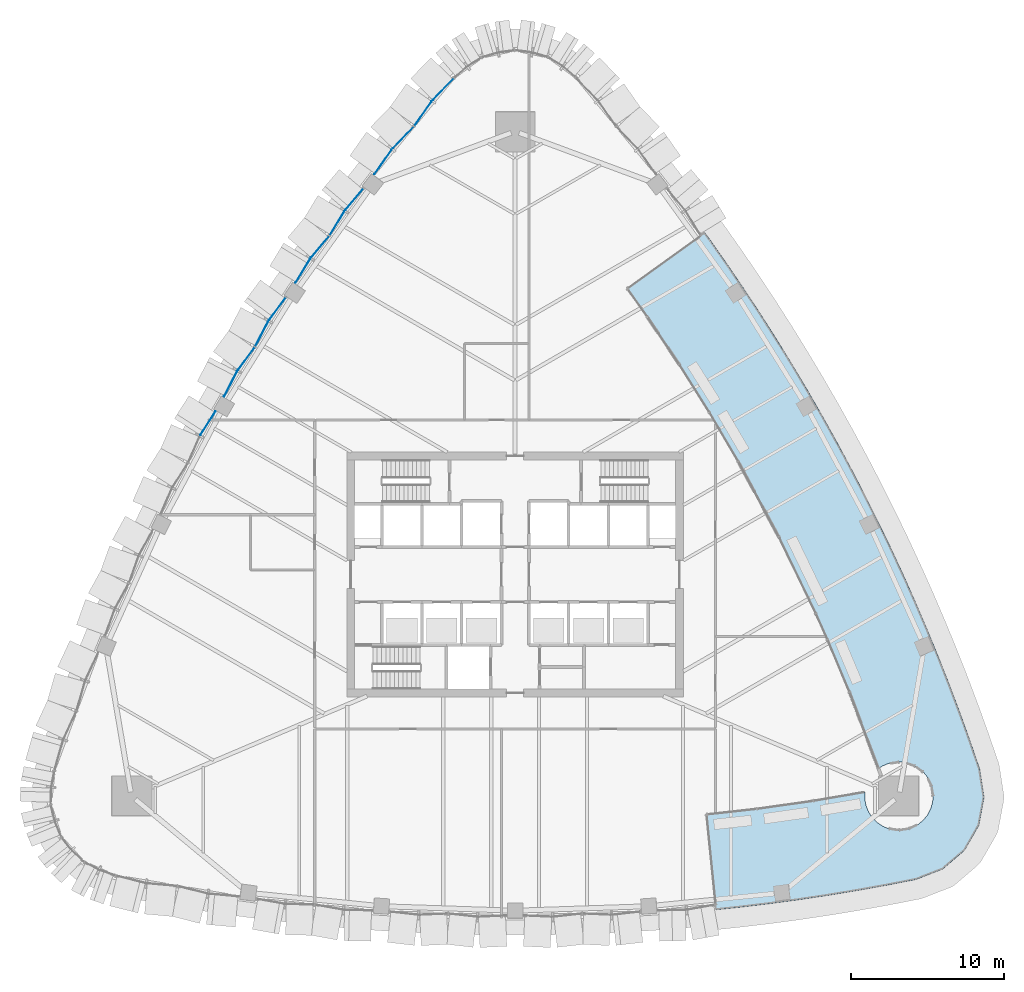
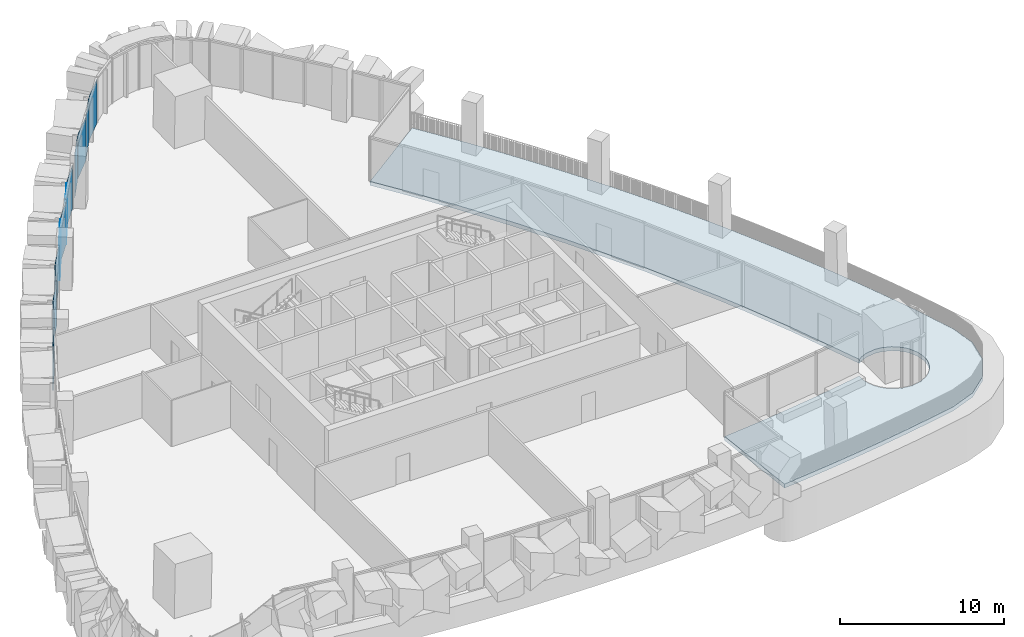
# One storey, part 11 of 20: 13 plates, 1 slab, 4 elements without a shape of their own.
"""IFC4 building model written with IfcOpenShell, lengths in metres."""

from ifc_helpers import new_model, si_unit, direction, frame, origin, place, context, subcontext, project, spatial, polyline, outline, extrude, material, layer, layer_set, type_object, element, aggregate, save


model = new_model("IFC4")

# Units and contexts
model_context = context("Model", 3, precision=1e-05, world=origin(), true_north=direction((0.0, 1.0)))
body_context = subcontext(model_context, "Body", "Model", "MODEL_VIEW")
ifc_project = project(units=[si_unit("LENGTHUNIT", "METRE"), si_unit("AREAUNIT", "SQUARE_METRE"), si_unit("VOLUMEUNIT", "CUBIC_METRE"), si_unit("PLANEANGLEUNIT", "RADIAN"), si_unit("MASSUNIT", "GRAM", prefix="KILO")], contexts=[model_context])

# Site, building, storey
site_placement = place(None, origin())
site = spatial("IfcSite", under=ifc_project, at=site_placement, CompositionType="ELEMENT")
building_placement = place(site_placement, origin())
building = spatial("IfcBuilding", under=site, at=building_placement, Name="Sierra Prisma Convention Tower", CompositionType="ELEMENT")
storey_placement = place(building_placement, frame((0.0, 0.0, 125.800048828125)))
storey = spatial("IfcBuildingStorey", under=building, at=storey_placement, Name="L26", CompositionType="ELEMENT", Elevation=125.800048828125)

# Curtain wall, plates
ifc_material_1 = material(Name="Aluminium and glass curtain wall", Category="aluminium")
ifc_layer_1 = layer(ifc_material_1, 0.179931640625)
ifc_layer_set_1 = layer_set([ifc_layer_1], Name="CW-2 Faceted crystal curtain wall")
curtain_wall_type = type_object("IfcCurtainWallType", Name="CW-2 Faceted crystal curtain wall", PredefinedType="NOTDEFINED", material=ifc_layer_set_1)
curtain_wall_1_placement = place(storey_placement, origin())
curtain_wall_1 = element("IfcCurtainWall", 1, at=curtain_wall_1_placement, inside=storey, type_object=curtain_wall_type, Name="CW-2 NW1 L26", PredefinedType="NOTDEFINED")
ifc_material_2 = material(Name="Tinted glass bronze-grey IGU", Category="glass")
ifc_layer_2 = layer(ifc_material_2, 0.028076171875)
ifc_layer_set_2 = layer_set([ifc_layer_2], Name="CW-2 crystal pane")
plate_type = type_object("IfcPlateType", Name="CW-2 crystal pane", PredefinedType="CURTAIN_PANEL", material=ifc_layer_set_2)
plate_1_placement = place(storey_placement, frame((-4.030517578125, 32.44970703125, 0.0), z_axis=(-0.718425213053, 0.695604207326, 0.0), x_axis=(-0.695604207326, -0.718425213053, 0.0)))
plate_1 = element("IfcPlate", 2, at=plate_1_placement, type_object=plate_type, Name="CW-2 pane NW1.1.1", PredefinedType="CURTAIN_PANEL", context=body_context, shape_type="SweptSolid", body=[
    extrude(outline(polyline([(0.0, 0.0), (1.9577460744295014, 0.0), (1.9577460744295014, 3.280029296875), (0.0, 3.280029296875), (0.0, 0.0)])), origin(), (0.0, 0.0, -1.0), 0.028076171875),
])
plate_2_placement = place(storey_placement, frame((-6.60009765625, 29.34130859375, 0.0), z_axis=(-0.818375585794, 0.574683739613, 0.0), x_axis=(0.574683739613, 0.818375585794, 0.0)))
plate_2 = element("IfcPlate", 3, at=plate_2_placement, type_object=plate_type, Name="CW-2 pane NW1.1.2", PredefinedType="CURTAIN_PANEL", context=body_context, shape_type="SweptSolid", body=[
    extrude(outline(polyline([(0.0, 0.0), (1.9575984536425586, 0.0), (1.9575984536425586, -3.280029296875), (0.0, -3.280029296875), (0.0, 0.0)])), origin(), (0.0, 0.0, -1.0), 0.028076171875),
])
plate_3_placement = place(storey_placement, frame((-6.64453125, 29.287353515625, 0.0), z_axis=(-0.718425213053, 0.695604207326, 0.0), x_axis=(-0.695604207326, -0.718425213053, 0.0)))
plate_3 = element("IfcPlate", 4, at=plate_3_placement, type_object=plate_type, Name="CW-2 pane NW1.2.1", PredefinedType="CURTAIN_PANEL", context=body_context, shape_type="SweptSolid", body=[
    extrude(outline(polyline([(0.0, 0.0), (1.9577460744295014, 0.0), (1.9577460744295014, 3.280029296875), (0.0, 3.280029296875), (0.0, 0.0)])), origin(), (0.0, 0.0, -1.0), 0.028076171875),
])
plate_4_placement = place(storey_placement, frame((-9.2138671875, 26.178955078125, 0.0), z_axis=(-0.818375585794, 0.574683739613, 0.0), x_axis=(0.574683739613, 0.818375585794, 0.0)))
plate_4 = element("IfcPlate", 5, at=plate_4_placement, type_object=plate_type, Name="CW-2 pane NW1.2.2", PredefinedType="CURTAIN_PANEL", context=body_context, shape_type="SweptSolid", body=[
    extrude(outline(polyline([(0.0, 0.0), (1.9575984536425586, 0.0), (1.9575984536425586, -3.280029296875), (0.0, -3.280029296875), (0.0, 0.0)])), origin(), (0.0, 0.0, -1.0), 0.028076171875),
])
aggregate(curtain_wall_1, [plate_1, plate_2, plate_3, plate_4])

curtain_wall_2_placement = place(storey_placement, origin())
curtain_wall_2 = element("IfcCurtainWall", 6, at=curtain_wall_2_placement, inside=storey, type_object=curtain_wall_type, Name="CW-2 NW2 L26", PredefinedType="NOTDEFINED")
plate_5_placement = place(storey_placement, frame((-9.9365234375, 25.240478515625, 0.0), z_axis=(-0.763386285369, 0.645942241466, 0.0), x_axis=(-0.645942241466, -0.763386285369, 0.0)))
plate_5 = element("IfcPlate", 7, at=plate_5_placement, type_object=plate_type, Name="CW-2 pane NW2.1.1", PredefinedType="CURTAIN_PANEL", context=body_context, shape_type="SweptSolid", body=[
    extrude(outline(polyline([(0.0, 0.0), (1.8210134834657628, 0.0), (1.8210134834657628, 3.280029296875), (0.0, 3.280029296875), (0.0, 0.0)])), origin(), (0.0, 0.0, -1.0), 0.028076171875),
])
plate_6_placement = place(storey_placement, frame((-12.13330078125, 22.1884765625, 0.0), z_axis=(-0.85495102812, 0.518708723192, 0.0), x_axis=(0.518708723192, 0.85495102812, 0.0)))
plate_6 = element("IfcPlate", 8, at=plate_6_placement, type_object=plate_type, Name="CW-2 pane NW2.1.2", PredefinedType="CURTAIN_PANEL", context=body_context, shape_type="SweptSolid", body=[
    extrude(outline(polyline([(0.0, 0.0), (1.8210221573132608, 0.0), (1.8210221573132608, -3.280029296875), (0.0, -3.280029296875), (0.0, 0.0)])), origin(), (0.0, 0.0, -1.0), 0.028076171875),
])
plate_7_placement = place(storey_placement, frame((-12.174072265625, 22.131591796875, 0.0), z_axis=(-0.763264221217, 0.646086471464, 0.0), x_axis=(-0.646086471464, -0.763264221217, 0.0)))
plate_7 = element("IfcPlate", 9, at=plate_7_placement, type_object=plate_type, Name="CW-2 pane NW2.2.1", PredefinedType="CURTAIN_PANEL", context=body_context, shape_type="SweptSolid", body=[
    extrude(outline(polyline([(0.0, 0.0), (1.8209848431098363, 0.0), (1.8209848431098363, 3.280029296875), (0.0, 3.280029296875), (0.0, 0.0)])), origin(), (0.0, 0.0, -1.0), 0.028076171875),
])
plate_8_placement = place(storey_placement, frame((-14.370849609375, 19.07958984375, 0.0), z_axis=(-0.85495102812, 0.518708723192, 0.0), x_axis=(0.518708723192, 0.85495102812, 0.0)))
plate_8 = element("IfcPlate", 10, at=plate_8_placement, type_object=plate_type, Name="CW-2 pane NW2.2.2", PredefinedType="CURTAIN_PANEL", context=body_context, shape_type="SweptSolid", body=[
    extrude(outline(polyline([(0.0, 0.0), (1.8210221573132608, 0.0), (1.8210221573132608, -3.280029296875), (0.0, -3.280029296875), (0.0, 0.0)])), origin(), (0.0, 0.0, -1.0), 0.028076171875),
])
aggregate(curtain_wall_2, [plate_5, plate_6, plate_7, plate_8])

curtain_wall_3_placement = place(storey_placement, origin())
curtain_wall_3 = element("IfcCurtainWall", 11, at=curtain_wall_3_placement, inside=storey, type_object=curtain_wall_type, Name="CW-2 NW3 L26", PredefinedType="NOTDEFINED")
plate_9_placement = place(storey_placement, frame((-15.011962890625, 18.122314453125, 0.0), z_axis=(-0.804763852546, 0.593595099066, 0.0), x_axis=(-0.593595099066, -0.804763852546, 0.0)))
plate_9 = element("IfcPlate", 12, at=plate_9_placement, type_object=plate_type, Name="CW-2 pane NW3.1.1", PredefinedType="CURTAIN_PANEL", context=body_context, shape_type="SweptSolid", body=[
    extrude(outline(polyline([(0.0, 0.0), (1.829013347789766, 0.0), (1.829013347789766, 3.280029296875), (0.0, 3.280029296875), (0.0, 0.0)])), origin(), (0.0, 0.0, -1.0), 0.028076171875),
])
plate_10_placement = place(storey_placement, frame((-17.008544921875, 14.916748046875, 0.0), z_axis=(-0.887681799483, 0.460457406137, 0.0), x_axis=(0.460457406137, 0.887681799483, 0.0)))
plate_10 = element("IfcPlate", 13, at=plate_10_placement, type_object=plate_type, Name="CW-2 pane NW3.1.2", PredefinedType="CURTAIN_PANEL", context=body_context, shape_type="SweptSolid", body=[
    extrude(outline(polyline([(0.0, 0.0), (1.8292357664880043, 0.0), (1.8292357664880043, -3.280029296875001), (0.0, -3.280029296875001), (0.0, 0.0)])), origin(), (0.0, 0.0, -1.0), 0.028076171875),
])
plate_11_placement = place(storey_placement, frame((-17.04541015625, 14.857421875, 0.0), z_axis=(-0.80474712353, 0.593617778684, 0.0), x_axis=(-0.593617778684, -0.80474712353, 0.0)))
plate_11 = element("IfcPlate", 14, at=plate_11_placement, type_object=plate_type, Name="CW-2 pane NW3.2.1", PredefinedType="CURTAIN_PANEL", context=body_context, shape_type="SweptSolid", body=[
    extrude(outline(polyline([(0.0, 0.0), (1.8293547447446465, 0.0), (1.8293547447446465, 3.280029296875), (0.0, 3.280029296875), (0.0, 0.0)])), origin(), (0.0, 0.0, -1.0), 0.028076171875),
])
plate_12_placement = place(storey_placement, frame((-19.0419921875, 11.651611328125, 0.0), z_axis=(-0.887681799483, 0.460457406137, 0.0), x_axis=(0.460457406137, 0.887681799483, 0.0)))
plate_12 = element("IfcPlate", 15, at=plate_12_placement, type_object=plate_type, Name="CW-2 pane NW3.2.2", PredefinedType="CURTAIN_PANEL", context=body_context, shape_type="SweptSolid", body=[
    extrude(outline(polyline([(0.0, 0.0), (1.8292357664880043, 0.0), (1.8292357664880043, -3.280029296875001), (0.0, -3.280029296875001), (0.0, 0.0)])), origin(), (0.0, 0.0, -1.0), 0.028076171875),
])
aggregate(curtain_wall_3, [plate_9, plate_10, plate_11, plate_12])

# Curtain wall, plate
curtain_wall_4_placement = place(storey_placement, origin())
curtain_wall_4 = element("IfcCurtainWall", 16, at=curtain_wall_4_placement, inside=storey, type_object=curtain_wall_type, Name="CW-2 NW4 L26", PredefinedType="NOTDEFINED")
plate_13_placement = place(storey_placement, frame((-19.611572265625, 10.6650390625, 0.0), z_axis=(-0.842593637461, 0.538549869659, 0.0), x_axis=(-0.538549869659, -0.842593637461, 0.0)))
plate_13 = element("IfcPlate", 17, at=plate_13_placement, type_object=plate_type, Name="CW-2 pane NW4.1.1", PredefinedType="CURTAIN_PANEL", context=body_context, shape_type="SweptSolid", body=[
    extrude(outline(polyline([(0.0, 0.0), (1.829185145841623, 0.0), (1.829185145841623, 3.280029296875001), (0.0, 3.280029296875001), (0.0, 0.0)])), origin(), (0.0, 0.0, -1.0), 0.028076171875),
])
aggregate(curtain_wall_4, [plate_13])

# Slab
ifc_material_3 = material(Name="Concrete C50/60", Category="concrete")
ifc_layer_3 = layer(ifc_material_3, 0.300048828125)
ifc_layer_set_3 = layer_set([ifc_layer_3], Name="Terrace slab")
slab_type = type_object("IfcSlabType", Name="Terrace slab", PredefinedType="FLOOR", material=ifc_layer_set_3)
slab_placement = place(storey_placement, frame((0.0, 0.0, -0.300048828125)))
element("IfcSlab", 18, at=slab_placement, inside=storey, type_object=slab_type, Name="Terrace slab L26", PredefinedType="FLOOR", context=body_context, shape_type="SweptSolid", body=[
    extrude(outline(polyline([(13.147705078125, -21.92431640625), (14.62646484375, -21.77001953125), (16.56689453125, -21.538330078125), (18.503662109375, -21.277587890625), (20.4365234375, -20.988525390625), (22.36474609375, -20.67041015625), (24.287841796875, -20.323974609375), (26.205810546875, -19.94873046875), (27.95654296875, -19.27001953125), (29.38232421875, -18.048095703125), (30.3212890625, -16.421875), (30.66650390625, -14.576171875), (30.379150390625, -12.720458984375), (29.744873046875, -10.8720703125), (29.08349609375, -9.033203125), (28.394775390625, -7.204345703125), (27.678955078125, -5.385986328125), (26.93603515625, -3.578369140625), (26.16650390625, -1.781982421875), (25.370361328125, 0.002685546875), (24.5478515625, 1.775390625), (23.698974609375, 3.53564453125), (22.82421875, 5.283203125), (21.923583984375, 7.017333984375), (20.9970703125, 8.738037109375), (20.045166015625, 10.44482421875), (19.068115234375, 12.13720703125), (18.06591796875, 13.81494140625), (17.0390625, 15.4775390625), (15.987548828125, 17.124755859375), (14.91162109375, 18.756103515625), (13.8115234375, 20.371337890625), (12.6875, 21.97021484375), (12.41259765625, 22.34912109375), (7.338134765625, 18.69482421875), (8.671875, 16.81494140625), (10.744384765625, 13.72265625), (12.72412109375, 10.570068359375), (14.609375, 7.360107421875), (17.25634765625, 2.443603515625), (19.681640625, -2.5859375), (20.43994140625, -4.285888671875), (21.88037109375, -7.718505859375), (23.75927734375, -12.69677734375), (24.04052734375, -12.514892578125), (24.446044921875, -12.346923828125), (25.095703125, -12.25048828125), (25.532470703125, -12.293701171875), (26.151123046875, -12.514892578125), (26.6787109375, -12.90625), (26.95703125, -13.245361328125), (27.23779296875, -13.83935546875), (27.334228515625, -14.489013671875), (27.291259765625, -14.92578125), (27.163818359375, -15.345703125), (26.95703125, -15.732666015625), (26.6787109375, -16.072021484375), (26.33935546875, -16.350341796875), (25.74560546875, -16.631103515625), (25.095703125, -16.7275390625), (24.446044921875, -16.631103515625), (24.04052734375, -16.463134765625), (23.67578125, -16.219482421875), (23.365478515625, -15.9091796875), (23.12158203125, -15.544189453125), (22.95361328125, -15.138916015625), (22.8681640625, -14.70849609375), (22.874267578125, -14.22802734375), (19.46533203125, -14.814208984375), (15.77978515625, -15.337890625), (12.51953125, -15.6953125), (13.147705078125, -21.92431640625)])), origin(), (0.0, 0.0, 1.0), 0.300048828125),
])

save(model, "model.ifc")
